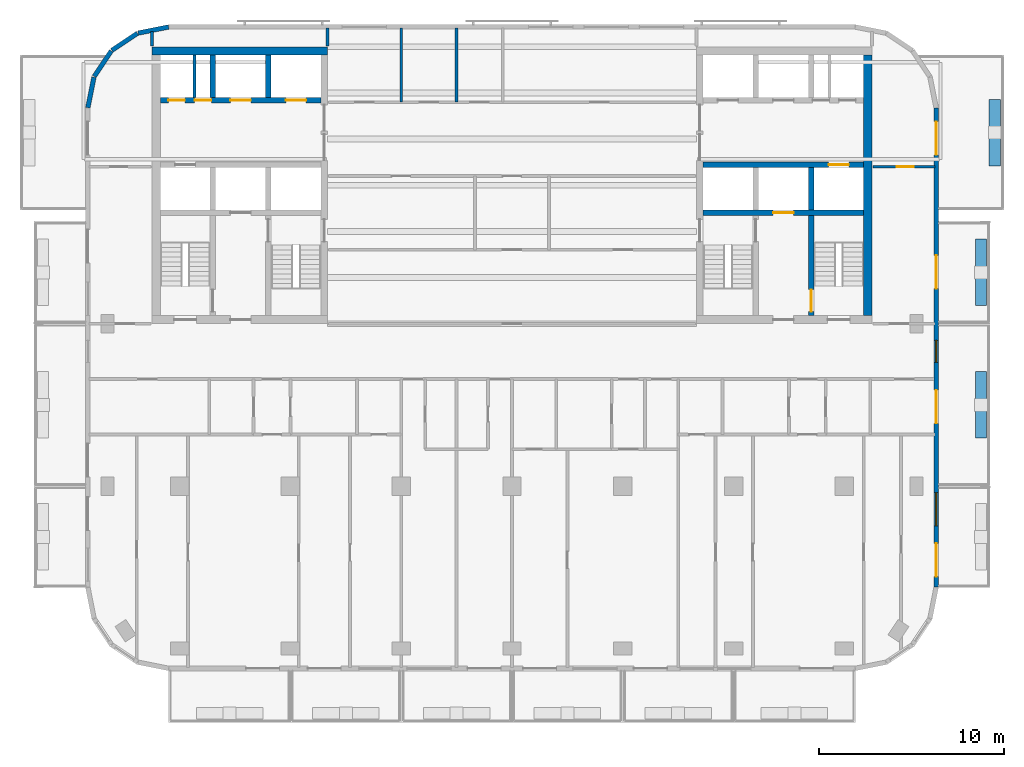
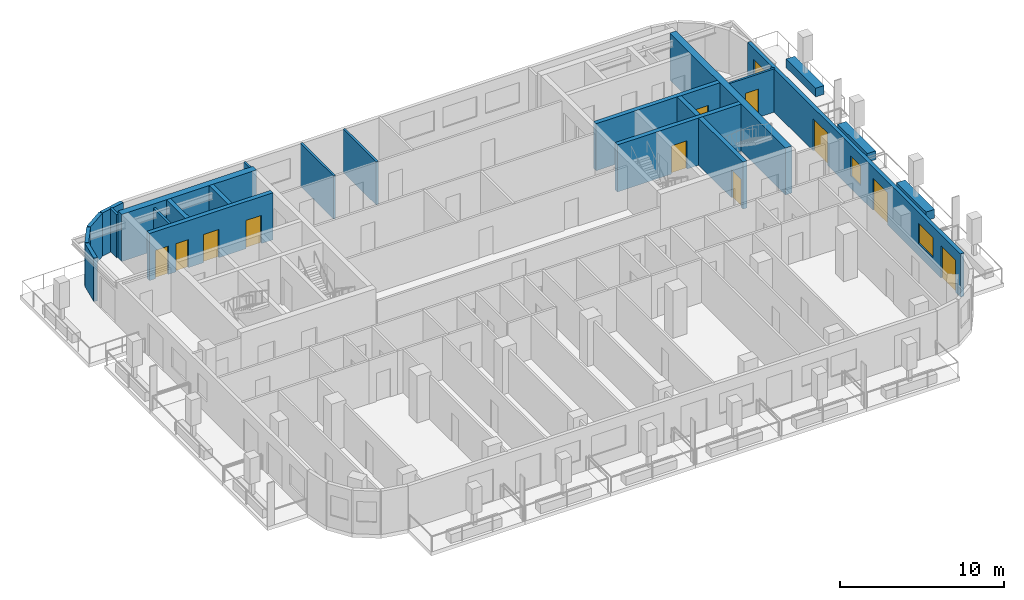
# One storey, part 6 of 11: 23 walls, 12 doors, 2 windows, 14 openings.
"""IFC4 building model written with IfcOpenShell, lengths in metres."""

from ifc_helpers import new_model, si_unit, direction, frame, frame_2d, origin, place, context, subcontext, project, spatial, rectangle, extrude, material, layer, layer_set, type_object, element, fill, save


model = new_model("IFC4")

# Units and contexts
model_context = context("Model", 3, precision=1e-05, world=origin(), true_north=direction((0.0, 1.0)))
body_context = subcontext(model_context, "Body", "Model", "MODEL_VIEW")
ifc_project = project(units=[si_unit("LENGTHUNIT", "METRE"), si_unit("AREAUNIT", "SQUARE_METRE"), si_unit("VOLUMEUNIT", "CUBIC_METRE"), si_unit("PLANEANGLEUNIT", "RADIAN"), si_unit("MASSUNIT", "GRAM", prefix="KILO")], contexts=[model_context])

# Site, building, storey
site_placement = place(None, origin())
site = spatial("IfcSite", under=ifc_project, at=site_placement, CompositionType="ELEMENT")
building_placement = place(site_placement, origin())
building = spatial("IfcBuilding", under=site, at=building_placement, Name="Torana Hotel and Residences", CompositionType="ELEMENT")
storey_placement = place(building_placement, frame((0.0, 0.0, 294.60009765625)))
storey = spatial("IfcBuildingStorey", under=building, at=storey_placement, Name="L78", CompositionType="ELEMENT", Elevation=294.60009765625)

# Wall, openings, doors
ifc_material_1 = material(Name="Concrete C60/75", Category="concrete")
ifc_layer_1 = layer(ifc_material_1, 0.300048828125)
ifc_layer_set_1 = layer_set([ifc_layer_1], Name="CORE WALL 300 C60/75")
wall_type_1 = type_object("IfcWallType", Name="CORE WALL 300 C60/75", PredefinedType="SHEAR", material=ifc_layer_set_1)
wall_1_placement = place(storey_placement, frame((-19.050048828125, -2.89990234375, 0.0), z_axis=(0.0, 0.0, 1.0), x_axis=(1.0, 0.0, 0.0)))
wall_1 = element("IfcWall", 1, at=wall_1_placement, inside=storey, type_object=wall_type_1, Name="Core wall W row-N", PredefinedType="SHEAR", context=body_context, shape_type="SweptSolid", body=[
    extrude(rectangle(XDim=8.699951171875, YDim=0.300048828125, at=frame_2d((4.35009765625, 0.0))), origin(), (0.0, 0.0, 1.0), 3.5),
])
opening_1_placement = place(wall_1_placement, frame((6.800048828125, 0.0, 0.0)))
opening_1 = element("IfcOpeningElement", 2, at=opening_1_placement, cuts=wall_1, Name="Opening LD", PredefinedType="OPENING", context=body_context, shape_type="SweptSolid", body=[
    extrude(rectangle(XDim=1.10009765625, YDim=2.10009765625, at=frame_2d((0.550048828125, 1.050048828125))), frame((0.0, 0.159912109375, 0.0), z_axis=(0.0, -1.0, 0.0), x_axis=(1.0, 0.0, 0.0)), (0.0, 0.0, 1.0), 0.320068359375),
])
opening_2_placement = place(wall_1_placement, frame((3.800048828125, 0.0, 0.0)))
opening_2 = element("IfcOpeningElement", 3, at=opening_2_placement, cuts=wall_1, Name="Opening LD", PredefinedType="OPENING", context=body_context, shape_type="SweptSolid", body=[
    extrude(rectangle(XDim=1.10009765625, YDim=2.10009765625, at=frame_2d((0.550048828125, 1.050048828125))), frame((0.0, 0.159912109375, 0.0), z_axis=(0.0, -1.0, 0.0), x_axis=(1.0, 0.0, 0.0)), (0.0, 0.0, 1.0), 0.320068359375),
])
opening_3_placement = place(wall_1_placement, frame((1.862548828125, 0.0, 0.0)))
opening_3 = element("IfcOpeningElement", 4, at=opening_3_placement, cuts=wall_1, Name="Opening L78-06", PredefinedType="OPENING", context=body_context, shape_type="SweptSolid", body=[
    extrude(rectangle(XDim=0.89990234375, YDim=2.10009765625, at=frame_2d((0.449951171875, 1.050048828125))), frame((0.0, 0.159912109375, 0.0), z_axis=(0.0, -1.0, 0.0), x_axis=(1.0, 0.0, 0.0)), (0.0, 0.0, 1.0), 0.320068359375),
])
opening_4_placement = place(wall_1_placement, frame((0.4375, 0.0, 0.0)))
opening_4 = element("IfcOpeningElement", 5, at=opening_4_placement, cuts=wall_1, Name="Opening L78-07", PredefinedType="OPENING", context=body_context, shape_type="SweptSolid", body=[
    extrude(rectangle(XDim=0.89990234375, YDim=2.10009765625, at=frame_2d((0.449951171875, 1.050048828125))), frame((0.0, 0.159912109375, 0.0), z_axis=(0.0, -1.0, 0.0), x_axis=(1.0, 0.0, 0.0)), (0.0, 0.0, 1.0), 0.320068359375),
])
ifc_material_2 = material(Name="Stainless steel 316", Category="steel")
door_type_1 = type_object("IfcDoorType", Name="LIFT LANDING DOOR LD 1100x2100", OperationType="DOUBLE_DOOR_SLIDING", PredefinedType="USERDEFINED", material=ifc_material_2)
door_1_placement = place(opening_1_placement, origin())
door_1 = element("IfcDoor", 6, at=door_1_placement, inside=storey, type_object=door_type_1, Name="Lift landing door H1 L78", ObjectType="LIFT LANDING DOOR", OperationType="DOUBLE_DOOR_SLIDING", OverallHeight=2.10009765625, OverallWidth=1.10009765625, PredefinedType="USERDEFINED", context=body_context, shape_type="SweptSolid", body=[
    extrude(rectangle(XDim=1.10009765625, YDim=2.10009765625, at=frame_2d((0.550048828125, 1.050048828125))), frame((0.0, 0.02490234375, 0.0), z_axis=(0.0, -1.0, 0.0), x_axis=(1.0, 0.0, 0.0)), (0.0, 0.0, 1.0), 0.050048828125),
])
fill(opening_1, door_1)
door_2_placement = place(opening_2_placement, origin())
door_2 = element("IfcDoor", 7, at=door_2_placement, inside=storey, type_object=door_type_1, Name="Lift landing door H2 L78", ObjectType="LIFT LANDING DOOR", OperationType="DOUBLE_DOOR_SLIDING", OverallHeight=2.10009765625, OverallWidth=1.10009765625, PredefinedType="USERDEFINED", context=body_context, shape_type="SweptSolid", body=[
    extrude(rectangle(XDim=1.10009765625, YDim=2.10009765625, at=frame_2d((0.550048828125, 1.050048828125))), frame((0.0, 0.02490234375, 0.0), z_axis=(0.0, -1.0, 0.0), x_axis=(1.0, 0.0, 0.0)), (0.0, 0.0, 1.0), 0.050048828125),
])
fill(opening_2, door_2)
ifc_material_3 = material(Name="Steel S235", Category="steel")
door_type_2 = type_object("IfcDoorType", Name="RISER ACCESS DOOR D5 900x2100", OperationType="SINGLE_SWING_LEFT", PredefinedType="DOOR", material=ifc_material_3)
door_3_placement = place(opening_3_placement, origin())
door_3 = element("IfcDoor", 8, at=door_3_placement, inside=storey, type_object=door_type_2, Name="N2A door L78", OperationType="SINGLE_SWING_LEFT", OverallHeight=2.10009765625, OverallWidth=0.89990234375, PredefinedType="DOOR", context=body_context, shape_type="SweptSolid", body=[
    extrude(rectangle(XDim=0.89990234375, YDim=2.10009765625, at=frame_2d((0.449951171875, 1.050048828125))), frame((0.0, 0.02490234375, 0.0), z_axis=(0.0, -1.0, 0.0), x_axis=(1.0, 0.0, 0.0)), (0.0, 0.0, 1.0), 0.050048828125),
])
fill(opening_3, door_3)
door_4_placement = place(opening_4_placement, origin())
door_4 = element("IfcDoor", 9, at=door_4_placement, inside=storey, type_object=door_type_2, Name="N2B door L78", OperationType="SINGLE_SWING_RIGHT", OverallHeight=2.10009765625, OverallWidth=0.89990234375, PredefinedType="DOOR", context=body_context, shape_type="SweptSolid", body=[
    extrude(rectangle(XDim=0.89990234375, YDim=2.10009765625, at=frame_2d((0.449951171875, 1.050048828125))), frame((0.0, 0.02490234375, 0.0), z_axis=(0.0, -1.0, 0.0), x_axis=(1.0, 0.0, 0.0)), (0.0, 0.0, 1.0), 0.050048828125),
])
fill(opening_4, door_4)

# Walls
for number, where, z_axis, x_axis, name in (
    (10, (-13.199951171875, -2.75, 0.0), (0.0, 0.0, 1.0), (0.0, 1.0, 0.0), "Core wall W x3.05-N"),
    (11, (-16.199951171875, -2.75, 0.0), (0.0, 0.0, 1.0), (0.0, 1.0, 0.0), "Core wall W x6.05-N"),
):
    element("IfcWall", number, at=place(storey_placement, frame(where, z_axis=z_axis, x_axis=x_axis)), inside=storey, type_object=wall_type_1, Name=name, PredefinedType="SHEAR", context=body_context, shape_type="SweptSolid", body=[
        extrude(rectangle(XDim=2.300048828125, YDim=0.300048828125, at=frame_2d((1.14990234375, 0.0))), origin(), (0.0, 0.0, 1.0), 3.5),
    ])

# Wall, opening, door
wall_2_placement = place(storey_placement, frame((10.35009765625, -6.39990234375, 0.0), z_axis=(0.0, 0.0, 1.0), x_axis=(1.0, 0.0, 0.0)))
wall_2 = element("IfcWall", 12, at=wall_2_placement, inside=storey, type_object=wall_type_1, Name="Core wall E row-S", PredefinedType="SHEAR", context=body_context, shape_type="SweptSolid", body=[
    extrude(rectangle(XDim=8.699951171875, YDim=0.300048828125, at=frame_2d((4.35009765625, 0.0))), origin(), (0.0, 0.0, 1.0), 3.5),
])
opening_5_placement = place(wall_2_placement, frame((6.800048828125, 0.0, 0.0)))
opening_5 = element("IfcOpeningElement", 13, at=opening_5_placement, cuts=wall_2, Name="Opening LD", PredefinedType="OPENING", context=body_context, shape_type="SweptSolid", body=[
    extrude(rectangle(XDim=1.10009765625, YDim=2.10009765625, at=frame_2d((0.550048828125, 1.050048828125))), frame((0.0, 0.159912109375, 0.0), z_axis=(0.0, -1.0, 0.0), x_axis=(1.0, 0.0, 0.0)), (0.0, 0.0, 1.0), 0.320068359375),
])
door_5_placement = place(opening_5_placement, origin())
door_5 = element("IfcDoor", 14, at=door_5_placement, inside=storey, type_object=door_type_1, Name="Lift landing door SV2 L78", ObjectType="LIFT LANDING DOOR", OperationType="DOUBLE_DOOR_SLIDING", OverallHeight=2.10009765625, OverallWidth=1.10009765625, PredefinedType="USERDEFINED", context=body_context, shape_type="SweptSolid", body=[
    extrude(rectangle(XDim=1.10009765625, YDim=2.10009765625, at=frame_2d((0.550048828125, 1.050048828125))), frame((0.0, 0.02490234375, 0.0), z_axis=(0.0, -1.0, 0.0), x_axis=(1.0, 0.0, 0.0)), (0.0, 0.0, 1.0), 0.050048828125),
])
fill(opening_5, door_5)

wall_3_placement = place(storey_placement, frame((10.35009765625, -9.0, 0.0), z_axis=(0.0, 0.0, 1.0), x_axis=(1.0, 0.0, 0.0)))
wall_3 = element("IfcWall", 15, at=wall_3_placement, inside=storey, type_object=wall_type_1, Name="Core wall E band", PredefinedType="SHEAR", context=body_context, shape_type="SweptSolid", body=[
    extrude(rectangle(XDim=8.699951171875, YDim=0.300048828125, at=frame_2d((4.35009765625, 0.0))), origin(), (0.0, 0.0, 1.0), 3.5),
])
opening_6_placement = place(wall_3_placement, frame((3.800048828125, 0.0, 0.0)))
opening_6 = element("IfcOpeningElement", 16, at=opening_6_placement, cuts=wall_3, Name="Opening LD", PredefinedType="OPENING", context=body_context, shape_type="SweptSolid", body=[
    extrude(rectangle(XDim=1.10009765625, YDim=2.10009765625, at=frame_2d((0.550048828125, 1.050048828125))), frame((0.0, 0.159912109375, 0.0), z_axis=(0.0, -1.0, 0.0), x_axis=(1.0, 0.0, 0.0)), (0.0, 0.0, 1.0), 0.320068359375),
])
door_6_placement = place(opening_6_placement, origin())
door_6 = element("IfcDoor", 17, at=door_6_placement, inside=storey, type_object=door_type_1, Name="Lift landing door FF2 L78", ObjectType="LIFT LANDING DOOR", OperationType="DOUBLE_DOOR_SLIDING", OverallHeight=2.10009765625, OverallWidth=1.10009765625, PredefinedType="USERDEFINED", context=body_context, shape_type="SweptSolid", body=[
    extrude(rectangle(XDim=1.10009765625, YDim=2.10009765625, at=frame_2d((0.550048828125, 1.050048828125))), frame((0.0, 0.02490234375, 0.0), z_axis=(0.0, -1.0, 0.0), x_axis=(1.0, 0.0, 0.0)), (0.0, 0.0, 1.0), 0.050048828125),
])
fill(opening_6, door_6)

# Wall
wall_4_placement = place(storey_placement, frame((16.199951171875, -8.85009765625, 0.0), z_axis=(0.0, 0.0, 1.0), x_axis=(0.0, 1.0, 0.0)))
element("IfcWall", 18, at=wall_4_placement, inside=storey, type_object=wall_type_1, Name="Core wall E x6.05-S", PredefinedType="SHEAR", context=body_context, shape_type="SweptSolid", body=[
    extrude(rectangle(XDim=2.300048828125, YDim=0.300048828125, at=frame_2d((1.14990234375, 0.0))), origin(), (0.0, 0.0, 1.0), 3.5),
])

# Wall, opening, door
wall_5_placement = place(storey_placement, frame((16.199951171875, -14.550048828125, 0.0), z_axis=(0.0, 0.0, 1.0), x_axis=(0.0, 1.0, 0.0)))
wall_5 = element("IfcWall", 19, at=wall_5_placement, inside=storey, type_object=wall_type_1, Name="Core wall E x6.05-band", PredefinedType="SHEAR", context=body_context, shape_type="SweptSolid", body=[
    extrude(rectangle(XDim=5.400146484375, YDim=0.300048828125, at=frame_2d((2.7001953125, 0.0))), origin(), (0.0, 0.0, 1.0), 3.5),
])
opening_7_placement = place(wall_5_placement, frame((0.199951171875, 0.0, 0.0)))
opening_7 = element("IfcOpeningElement", 20, at=opening_7_placement, cuts=wall_5, Name="Opening L78-18", PredefinedType="OPENING", context=body_context, shape_type="SweptSolid", body=[
    extrude(rectangle(XDim=1.199951171875, YDim=2.10009765625, at=frame_2d((0.60009765625, 1.050048828125))), frame((0.0, 0.159912109375, 0.0), z_axis=(0.0, -1.0, 0.0), x_axis=(1.0, 0.0, 0.0)), (0.0, 0.0, 1.0), 0.320068359375),
])
ifc_material_4 = material(Name="Steel S235", Category="steel")
door_type_3 = type_object("IfcDoorType", Name="STAIR FIRE DOOR D3 1200x2100", OperationType="SINGLE_SWING_LEFT", PredefinedType="DOOR", material=ifc_material_4)
door_7_placement = place(opening_7_placement, frame((0.60009765625, 0.0, 0.0), z_axis=(0.0, 0.0, 1.0), x_axis=(-1.0, 0.0, 0.0)))
door_7 = element("IfcDoor", 21, at=door_7_placement, inside=storey, type_object=door_type_3, Name="Stair-B-lobby door L78", OperationType="SINGLE_SWING_LEFT", OverallHeight=2.10009765625, OverallWidth=1.199951171875, PredefinedType="DOOR", context=body_context, shape_type="SweptSolid", body=[
    extrude(rectangle(XDim=1.199951171875, YDim=2.10009765625, at=frame_2d((0.0, 1.050048828125))), frame((0.0, -0.02490234375, 0.0), z_axis=(0.0, 1.0, 0.0), x_axis=(-1.0, 0.0, 0.0)), (0.0, 0.0, 1.0), 0.050048828125),
])
fill(opening_7, door_7)

# Walls
ifc_material_5 = material(Name="Concrete C60/75", Category="concrete")
ifc_layer_2 = layer(ifc_material_5, 0.449951171875)
ifc_layer_set_2 = layer_set([ifc_layer_2], Name="CORE WALL 450 C60/75")
wall_type_2 = type_object("IfcWallType", Name="CORE WALL 450 C60/75", PredefinedType="SHEAR", material=ifc_layer_set_2)
wall_6_placement = place(storey_placement, frame((-19.5, -0.22509765625, 0.0), z_axis=(0.0, 0.0, 1.0), x_axis=(1.0, 0.0, 0.0)))
element("IfcWall", 22, at=wall_6_placement, inside=storey, type_object=wall_type_2, Name="Core wall W rear", PredefinedType="SHEAR", context=body_context, shape_type="SweptSolid", body=[
    extrude(rectangle(XDim=9.5, YDim=0.449951171875, at=frame_2d((4.75, 0.0))), origin(), (0.0, 0.0, 1.0), 3.5),
])
wall_7_placement = place(storey_placement, frame((19.27490234375, -14.550048828125, 0.0), z_axis=(0.0, 0.0, 1.0), x_axis=(0.0, 1.0, 0.0)))
element("IfcWall", 23, at=wall_7_placement, inside=storey, type_object=wall_type_2, Name="Core wall E outer", PredefinedType="SHEAR", context=body_context, shape_type="SweptSolid", body=[
    extrude(rectangle(XDim=14.10009765625, YDim=0.449951171875, at=frame_2d((7.050048828125, 0.0))), origin(), (0.0, 0.0, 1.0), 3.5),
])
ifc_material_6 = material(Name="Black aluminium composite panel", Category="aluminium")
ifc_layer_3 = layer(ifc_material_6, 0.00390625, Name="Cladding", Category="cladding")
ifc_material_7 = material(Name="Ventilated air cavity")
ifc_layer_4 = layer(ifc_material_7, 0.0400390625, Name="Ventilated cavity", Category="cavity")
ifc_material_8 = material(Name="Mineral wool insulation")
ifc_layer_5 = layer(ifc_material_8, 0.090087890625, Name="Insulation", Category="insulation")
ifc_material_9 = material(Name="Steel S280GD", Category="steel")
ifc_layer_6 = layer(ifc_material_9, 0.092041015625, Name="Steel stud frame", Category="structure")
ifc_material_10 = material(Name="Fire rated plasterboard")
ifc_layer_7 = layer(ifc_material_10, 0.011962890625, Name="Inner board", Category="finish")
ifc_layer_8 = layer(ifc_material_10, 0.011962890625, Name="Second board", Category="finish")
ifc_layer_set_3 = layer_set([ifc_layer_3, ifc_layer_4, ifc_layer_5, ifc_layer_6, ifc_layer_7, ifc_layer_8], Name="EW1 EXTERNAL WALL BLACK METAL CLAD 250")
wall_type_3 = type_object("IfcWallType", Name="EW1 EXTERNAL WALL BLACK METAL CLAD 250", PredefinedType="SOLIDWALL", material=ifc_layer_set_3)
wall_8_placement = place(storey_placement, frame((-18.599853515625, 1.072509765625, 0.0), z_axis=(0.0, 0.0, 1.0), x_axis=(-0.980797896849, -0.195026884138, 0.0)))
element("IfcWall", 24, at=wall_8_placement, inside=storey, type_object=wall_type_3, Name="External wall L78 e0.5", PredefinedType="SOLIDWALL", context=body_context, shape_type="SweptSolid", body=[
    extrude(rectangle(XDim=1.68115234375, YDim=0.25, at=frame_2d((0.840576171875, 0.0))), origin(), (0.0, 0.0, 1.0), 3.219970703125),
])
for number, where, z_axis, x_axis, name in (
    (25, (-20.2939453125, 0.725830078125, 0.0), (0.0, 0.0, 1.0), (-0.831482937015, -0.55555029066, 0.0), "External wall L78 e0.6"),
    (26, (-21.705810546875, -0.228759765625, 0.0), (0.0, 0.0, 1.0), (-0.55555029066, -0.831482937015, 0.0), "External wall L78 e0.7"),
):
    element("IfcWall", number, at=place(storey_placement, frame(where, z_axis=z_axis, x_axis=x_axis)), inside=storey, type_object=wall_type_3, Name=name, PredefinedType="SOLIDWALL", context=body_context, shape_type="SweptSolid", body=[
        extrude(rectangle(XDim=1.65625, YDim=0.25, at=frame_2d((0.828125, 0.0))), origin(), (0.0, 0.0, 1.0), 3.219970703125),
    ])
wall_9_placement = place(storey_placement, frame((-22.64453125, -1.651123046875, 0.0), z_axis=(0.0, 0.0, 1.0), x_axis=(-0.19513878023, -0.980775640221, 0.0)))
element("IfcWall", 27, at=wall_9_placement, inside=storey, type_object=wall_type_3, Name="External wall L78 e0.8", PredefinedType="SOLIDWALL", context=body_context, shape_type="SweptSolid", body=[
    extrude(rectangle(XDim=1.681396484375, YDim=0.25, at=frame_2d((0.8408203125, 0.0))), origin(), (0.0, 0.0, 1.0), 3.219970703125),
])

# Wall, openings, doors, windows
wall_10_placement = place(storey_placement, frame((22.97509765625, -29.275390625, 0.0), z_axis=(0.0, 0.0, 1.0), x_axis=(0.0, 1.0, 0.0)))
wall_10 = element("IfcWall", 28, at=wall_10_placement, inside=storey, type_object=wall_type_3, Name="External wall L78 e0.19", PredefinedType="SOLIDWALL", context=body_context, shape_type="SweptSolid", body=[
    extrude(rectangle(XDim=25.95068359375, YDim=0.25, at=frame_2d((12.975341796875, 0.0))), origin(), (0.0, 0.0, 1.0), 3.219970703125),
])
opening_8_placement = place(wall_10_placement, frame((0.575439453125, 0.0, 0.0)))
opening_8 = element("IfcOpeningElement", 29, at=opening_8_placement, cuts=wall_10, Name="Opening L78-E07", PredefinedType="OPENING", context=body_context, shape_type="SweptSolid", body=[
    extrude(rectangle(XDim=1.800048828125, YDim=2.39990234375, at=frame_2d((0.89990234375, 1.199951171875))), frame((0.0, 0.135009765625, 0.0), z_axis=(0.0, -1.0, 0.0), x_axis=(1.0, 0.0, 0.0)), (0.0, 0.0, 1.0), 0.27001953125),
])
opening_9_placement = place(wall_10_placement, frame((3.325439453125, 0.0, 0.89990234375)))
opening_9 = element("IfcOpeningElement", 30, at=opening_9_placement, cuts=wall_10, Name="Opening W4", PredefinedType="OPENING", context=body_context, shape_type="SweptSolid", body=[
    extrude(rectangle(XDim=1.800048828125, YDim=1.5, at=frame_2d((0.89990234375, 0.75))), frame((0.0, 0.135009765625, 0.0), z_axis=(0.0, -1.0, 0.0), x_axis=(1.0, 0.0, 0.0)), (0.0, 0.0, 1.0), 0.27001953125),
])
opening_10_placement = place(wall_10_placement, frame((8.87548828125, 0.0, 0.0)))
opening_10 = element("IfcOpeningElement", 31, at=opening_10_placement, cuts=wall_10, Name="Opening L78-E08", PredefinedType="OPENING", context=body_context, shape_type="SweptSolid", body=[
    extrude(rectangle(XDim=1.800048828125, YDim=2.39990234375, at=frame_2d((0.89990234375, 1.199951171875))), frame((0.0, 0.135009765625, 0.0), z_axis=(0.0, -1.0, 0.0), x_axis=(1.0, 0.0, 0.0)), (0.0, 0.0, 1.0), 0.27001953125),
])
opening_11_placement = place(wall_10_placement, frame((12.17529296875, 0.0, 0.89990234375)))
opening_11 = element("IfcOpeningElement", 32, at=opening_11_placement, cuts=wall_10, Name="Opening W5", PredefinedType="OPENING", context=body_context, shape_type="SweptSolid", body=[
    extrude(rectangle(XDim=1.199951171875, YDim=1.5, at=frame_2d((0.60009765625, 0.75))), frame((0.0, 0.135009765625, 0.0), z_axis=(0.0, -1.0, 0.0), x_axis=(1.0, 0.0, 0.0)), (0.0, 0.0, 1.0), 0.27001953125),
])
opening_12_placement = place(wall_10_placement, frame((16.17529296875, 0.0, 0.0)))
opening_12 = element("IfcOpeningElement", 33, at=opening_12_placement, cuts=wall_10, Name="Opening L78-E09", PredefinedType="OPENING", context=body_context, shape_type="SweptSolid", body=[
    extrude(rectangle(XDim=1.800048828125, YDim=2.39990234375, at=frame_2d((0.89990234375, 1.199951171875))), frame((0.0, 0.135009765625, 0.0), z_axis=(0.0, -1.0, 0.0), x_axis=(1.0, 0.0, 0.0)), (0.0, 0.0, 1.0), 0.27001953125),
])
opening_13_placement = place(wall_10_placement, frame((23.42529296875, 0.0, 0.0)))
opening_13 = element("IfcOpeningElement", 34, at=opening_13_placement, cuts=wall_10, Name="Opening L78-E10", PredefinedType="OPENING", context=body_context, shape_type="SweptSolid", body=[
    extrude(rectangle(XDim=1.800048828125, YDim=2.39990234375, at=frame_2d((0.89990234375, 1.199951171875))), frame((0.0, 0.135009765625, 0.0), z_axis=(0.0, -1.0, 0.0), x_axis=(1.0, 0.0, 0.0)), (0.0, 0.0, 1.0), 0.27001953125),
])
ifc_material_11 = material(Name="Dark glass in black aluminium frame", Category="aluminium")
door_type_4 = type_object("IfcDoorType", Name="DB1 BALCONY DOOR 1800x2400", OperationType="DOUBLE_DOOR_SINGLE_SWING", PredefinedType="DOOR", material=ifc_material_11)
door_8_placement = place(opening_8_placement, origin())
door_8 = element("IfcDoor", 35, at=door_8_placement, inside=storey, type_object=door_type_4, Name="Balcony door L78", OperationType="DOUBLE_DOOR_SINGLE_SWING", OverallHeight=2.39990234375, OverallWidth=1.800048828125, PredefinedType="DOOR", context=body_context, shape_type="SweptSolid", body=[
    extrude(rectangle(XDim=1.800048828125, YDim=2.39990234375, at=frame_2d((0.89990234375, 1.199951171875))), frame((0.0, 0.02490234375, 0.0), z_axis=(0.0, -1.0, 0.0), x_axis=(1.0, 0.0, 0.0)), (0.0, 0.0, 1.0), 0.050048828125),
])
fill(opening_8, door_8)
door_9_placement = place(opening_10_placement, origin())
door_9 = element("IfcDoor", 36, at=door_9_placement, inside=storey, type_object=door_type_4, Name="Balcony door L78", OperationType="DOUBLE_DOOR_SINGLE_SWING", OverallHeight=2.39990234375, OverallWidth=1.800048828125, PredefinedType="DOOR", context=body_context, shape_type="SweptSolid", body=[
    extrude(rectangle(XDim=1.800048828125, YDim=2.39990234375, at=frame_2d((0.89990234375, 1.199951171875))), frame((0.0, 0.02490234375, 0.0), z_axis=(0.0, -1.0, 0.0), x_axis=(1.0, 0.0, 0.0)), (0.0, 0.0, 1.0), 0.050048828125),
])
fill(opening_10, door_9)
door_10_placement = place(opening_12_placement, origin())
door_10 = element("IfcDoor", 37, at=door_10_placement, inside=storey, type_object=door_type_4, Name="Balcony door L78", OperationType="DOUBLE_DOOR_SINGLE_SWING", OverallHeight=2.39990234375, OverallWidth=1.800048828125, PredefinedType="DOOR", context=body_context, shape_type="SweptSolid", body=[
    extrude(rectangle(XDim=1.800048828125, YDim=2.39990234375, at=frame_2d((0.89990234375, 1.199951171875))), frame((0.0, 0.02490234375, 0.0), z_axis=(0.0, -1.0, 0.0), x_axis=(1.0, 0.0, 0.0)), (0.0, 0.0, 1.0), 0.050048828125),
])
fill(opening_12, door_10)
door_11_placement = place(opening_13_placement, origin())
door_11 = element("IfcDoor", 38, at=door_11_placement, inside=storey, type_object=door_type_4, Name="Balcony door L78", OperationType="DOUBLE_DOOR_SINGLE_SWING", OverallHeight=2.39990234375, OverallWidth=1.800048828125, PredefinedType="DOOR", context=body_context, shape_type="SweptSolid", body=[
    extrude(rectangle(XDim=1.800048828125, YDim=2.39990234375, at=frame_2d((0.89990234375, 1.199951171875))), frame((0.0, 0.02490234375, 0.0), z_axis=(0.0, -1.0, 0.0), x_axis=(1.0, 0.0, 0.0)), (0.0, 0.0, 1.0), 0.050048828125),
])
fill(opening_13, door_11)
ifc_material_12 = material(Name="Dark glass in black aluminium frame", Category="aluminium")
window_type_1 = type_object("IfcWindowType", Name="W4 RESIDENCE WINDOW NARROW 1800x1500", PartitioningType="SINGLE_PANEL", PredefinedType="WINDOW", material=ifc_material_12)
window_1_placement = place(opening_9_placement, origin())
window_1 = element("IfcWindow", 39, at=window_1_placement, inside=storey, type_object=window_type_1, Name="Window L78", OverallHeight=1.5, OverallWidth=1.800048828125, PartitioningType="SINGLE_PANEL", PredefinedType="WINDOW", context=body_context, shape_type="SweptSolid", body=[
    extrude(rectangle(XDim=1.800048828125, YDim=1.5, at=frame_2d((0.89990234375, 0.75))), frame((0.0, 0.030029296875, 0.0), z_axis=(0.0, -1.0, 0.0), x_axis=(1.0, 0.0, 0.0)), (0.0, 0.0, 1.0), 0.06005859375),
])
fill(opening_9, window_1)
ifc_material_13 = material(Name="Dark glass in black aluminium frame", Category="aluminium")
window_type_2 = type_object("IfcWindowType", Name="W5 CORNER FACET WINDOW 1200x1500", PartitioningType="SINGLE_PANEL", PredefinedType="WINDOW", material=ifc_material_13)
window_2_placement = place(opening_11_placement, origin())
window_2 = element("IfcWindow", 40, at=window_2_placement, inside=storey, type_object=window_type_2, Name="Window L78", OverallHeight=1.5, OverallWidth=1.199951171875, PartitioningType="SINGLE_PANEL", PredefinedType="WINDOW", context=body_context, shape_type="SweptSolid", body=[
    extrude(rectangle(XDim=1.199951171875, YDim=1.5, at=frame_2d((0.60009765625, 0.75))), frame((0.0, 0.030029296875, 0.0), z_axis=(0.0, -1.0, 0.0), x_axis=(1.0, 0.0, 0.0)), (0.0, 0.0, 1.0), 0.06005859375),
])
fill(opening_11, window_2)

# Walls
ifc_material_14 = material(Name="Gypsum plaster")
ifc_layer_9 = layer(ifc_material_14, 0.014892578125, Name="Plaster", Category="finish")
ifc_material_15 = material(Name="Concrete blockwork", Category="masonry")
ifc_layer_10 = layer(ifc_material_15, 0.1201171875, Name="Blockwork", Category="structure")
ifc_layer_11 = layer(ifc_material_14, 0.014892578125, Name="Plaster", Category="finish")
ifc_layer_set_4 = layer_set([ifc_layer_9, ifc_layer_10, ifc_layer_11], Name="FIRE PARTITION 150 BLOCKWORK")
wall_type_4 = type_object("IfcWallType", Name="FIRE PARTITION 150 BLOCKWORK", PredefinedType="PARTITIONING", material=ifc_layer_set_4)
wall_11_placement = place(storey_placement, frame((-17.199951171875, -2.75, 0.0), z_axis=(0.0, 0.0, 1.0), x_axis=(0.0, 1.0, 0.0)))
element("IfcWall", 41, at=wall_11_placement, inside=storey, type_object=wall_type_4, Name="Core partition L78", PredefinedType="PARTITIONING", context=body_context, shape_type="SweptSolid", body=[
    extrude(rectangle(XDim=2.300048828125, YDim=0.14990234375, at=frame_2d((1.14990234375, 0.0))), origin(), (0.0, 0.0, 1.0), 3.199951171875),
])
ifc_material_16 = material(Name="Gypsum plasterboard")
ifc_layer_12 = layer(ifc_material_16, 0.012451171875, Name="Plasterboard", Category="finish")
ifc_layer_13 = layer(ifc_material_16, 0.012451171875, Name="Plasterboard", Category="finish")
ifc_layer_14 = layer(ifc_material_9, 0.10009765625, Name="Steel studs with mineral wool", Category="insulation")
ifc_layer_15 = layer(ifc_material_16, 0.012451171875, Name="Plasterboard", Category="finish")
ifc_layer_16 = layer(ifc_material_16, 0.012451171875, Name="Plasterboard", Category="finish")
ifc_layer_set_5 = layer_set([ifc_layer_12, ifc_layer_13, ifc_layer_14, ifc_layer_15, ifc_layer_16], Name="PARTITION 150 PLASTERBOARD")
wall_type_5 = type_object("IfcWallType", Name="PARTITION 150 PLASTERBOARD", PredefinedType="PARTITIONING", material=ifc_layer_set_5)
wall_12_placement = place(storey_placement, frame((-10.0, 0.050048828125, 0.0), z_axis=(0.0, 0.0, 1.0), x_axis=(0.0, 1.0, 0.0)))
element("IfcWall", 42, at=wall_12_placement, inside=storey, type_object=wall_type_5, Name="Partition L78", PredefinedType="PARTITIONING", context=body_context, shape_type="SweptSolid", body=[
    extrude(rectangle(XDim=0.969970703125, YDim=0.14990234375, at=frame_2d((0.48486328125, 0.0))), origin(), (0.0, 0.0, 1.0), 3.219970703125),
])
wall_13_placement = place(storey_placement, frame((-19.5, 0.050048828125, 0.0), z_axis=(0.0, 0.0, 1.0), x_axis=(0.0, 1.0, 0.0)))
element("IfcWall", 43, at=wall_13_placement, inside=storey, type_object=wall_type_5, Name="Partition L78", PredefinedType="PARTITIONING", context=body_context, shape_type="SweptSolid", body=[
    extrude(rectangle(XDim=0.787353515625, YDim=0.14990234375, at=frame_2d((0.3935546875, 0.0))), origin(), (0.0, 0.0, 1.0), 3.219970703125),
])
ifc_material_17 = material(Name="Concrete C40/50 precast", Category="concrete")
ifc_layer_17 = layer(ifc_material_17, 0.10009765625, Name="Planter shell", Category="structure")
ifc_material_18 = material(Name="Root resistant membrane")
ifc_layer_18 = layer(ifc_material_18, 0.00390625, Name="Waterproofing membrane", Category="membrane")
ifc_material_19 = material(Name="Drainage board with filter fleece")
ifc_layer_19 = layer(ifc_material_19, 0.02001953125, Name="Drainage board", Category="drainage")
ifc_material_20 = material(Name="Growing medium")
ifc_layer_20 = layer(ifc_material_20, 0.47607421875, Name="Planting substrate", Category="soil")
ifc_layer_set_6 = layer_set([ifc_layer_17, ifc_layer_18, ifc_layer_19, ifc_layer_20], Name="PL1 BALCONY PLANTER 600")
wall_type_6 = type_object("IfcWallType", Name="PL1 BALCONY PLANTER 600", PredefinedType="USERDEFINED", material=ifc_layer_set_6)
for number, where, z_axis, x_axis, name in (
    (44, (25.39990234375, -17.60009765625, 0.0), (0.0, 0.0, 1.0), (0.0, -1.0, 0.0), "Planter 12"),
    (45, (25.39990234375, -10.425048828125, 0.0), (0.0, 0.0, 1.0), (0.0, -1.0, 0.0), "Planter 13"),
    (46, (26.14990234375, -2.85009765625, 0.0), (0.0, 0.0, 1.0), (0.0, -1.0, 0.0), "Planter 14"),
):
    element("IfcWall", number, at=place(storey_placement, frame(where, z_axis=z_axis, x_axis=x_axis)), inside=storey, type_object=wall_type_6, Name=name, ObjectType="PLANTER", PredefinedType="USERDEFINED", context=body_context, shape_type="SweptSolid", body=[
        extrude(rectangle(XDim=3.599853515625, YDim=0.60009765625, at=frame_2d((1.7998046875, 0.0))), origin(), (0.0, 0.0, 1.0), 0.64990234375),
    ])
ifc_material_21 = material(Name="Ceramic tile on adhesive")
ifc_layer_21 = layer(ifc_material_21, 0.010009765625, Name="Wall tile", Category="finish")
ifc_material_22 = material(Name="Cement render")
ifc_layer_22 = layer(ifc_material_22, 0.010009765625, Name="Render", Category="finish")
ifc_layer_23 = layer(ifc_material_15, 0.110107421875, Name="Blockwork", Category="structure")
ifc_layer_24 = layer(ifc_material_22, 0.010009765625, Name="Render", Category="finish")
ifc_layer_25 = layer(ifc_material_21, 0.010009765625, Name="Wall tile", Category="finish")
ifc_layer_set_7 = layer_set([ifc_layer_21, ifc_layer_22, ifc_layer_23, ifc_layer_24, ifc_layer_25], Name="WC PARTITION 150")
wall_type_7 = type_object("IfcWallType", Name="WC PARTITION 150", PredefinedType="PLUMBINGWALL", material=ifc_layer_set_7)
for number, where, z_axis, x_axis, name in (
    (47, (-3.0, -3.0, 0.0), (0.0, 0.0, 1.0), (0.0, 1.0, 0.0), "Partition L78"),
    (48, (-6.0, -3.0, 0.0), (0.0, 0.0, 1.0), (0.0, 1.0, 0.0), "Partition L78"),
):
    element("IfcWall", number, at=place(storey_placement, frame(where, z_axis=z_axis, x_axis=x_axis)), inside=storey, type_object=wall_type_7, Name=name, PredefinedType="PLUMBINGWALL", context=body_context, shape_type="SweptSolid", body=[
        extrude(rectangle(XDim=4.02001953125, YDim=0.14990234375, at=frame_2d((2.010009765625, 0.0))), origin(), (0.0, 0.0, 1.0), 3.219970703125),
    ])

# Wall, opening, door
wall_14_placement = place(storey_placement, frame((19.550048828125, -6.5, 0.0), z_axis=(0.0, 0.0, 1.0), x_axis=(1.0, 0.0, 0.0)))
wall_14 = element("IfcWall", 49, at=wall_14_placement, inside=storey, type_object=wall_type_7, Name="Partition L78", PredefinedType="PLUMBINGWALL", context=body_context, shape_type="SweptSolid", body=[
    extrude(rectangle(XDim=3.369873046875, YDim=0.14990234375, at=frame_2d((1.68505859375, 0.0))), origin(), (0.0, 0.0, 1.0), 3.219970703125),
])
opening_14_placement = place(wall_14_placement, frame((1.300048828125, 0.0, 0.0)))
opening_14 = element("IfcOpeningElement", 50, at=opening_14_placement, cuts=wall_14, Name="Opening L78-61", PredefinedType="OPENING", context=body_context, shape_type="SweptSolid", body=[
    extrude(rectangle(XDim=0.89990234375, YDim=2.10009765625, at=frame_2d((0.449951171875, 1.050048828125))), frame((0.0, 0.0849609375, 0.0), z_axis=(0.0, -1.0, 0.0), x_axis=(1.0, 0.0, 0.0)), (0.0, 0.0, 1.0), 0.169921875),
])
ifc_material_23 = material(Name="Timber door, oiled ash", Category="wood")
door_type_5 = type_object("IfcDoorType", Name="ROOM DOOR D7 900x2100", OperationType="SINGLE_SWING_LEFT", PredefinedType="DOOR", material=ifc_material_23)
door_12_placement = place(opening_14_placement, origin())
door_12 = element("IfcDoor", 51, at=door_12_placement, inside=storey, type_object=door_type_5, Name="Door L78", OperationType="SINGLE_SWING_LEFT", OverallHeight=2.10009765625, OverallWidth=0.89990234375, PredefinedType="DOOR", context=body_context, shape_type="SweptSolid", body=[
    extrude(rectangle(XDim=0.89990234375, YDim=2.10009765625, at=frame_2d((0.449951171875, 1.050048828125))), frame((0.0, 0.02490234375, 0.0), z_axis=(0.0, -1.0, 0.0), x_axis=(1.0, 0.0, 0.0)), (0.0, 0.0, 1.0), 0.050048828125),
])
fill(opening_14, door_12)

save(model, "model.ifc")
